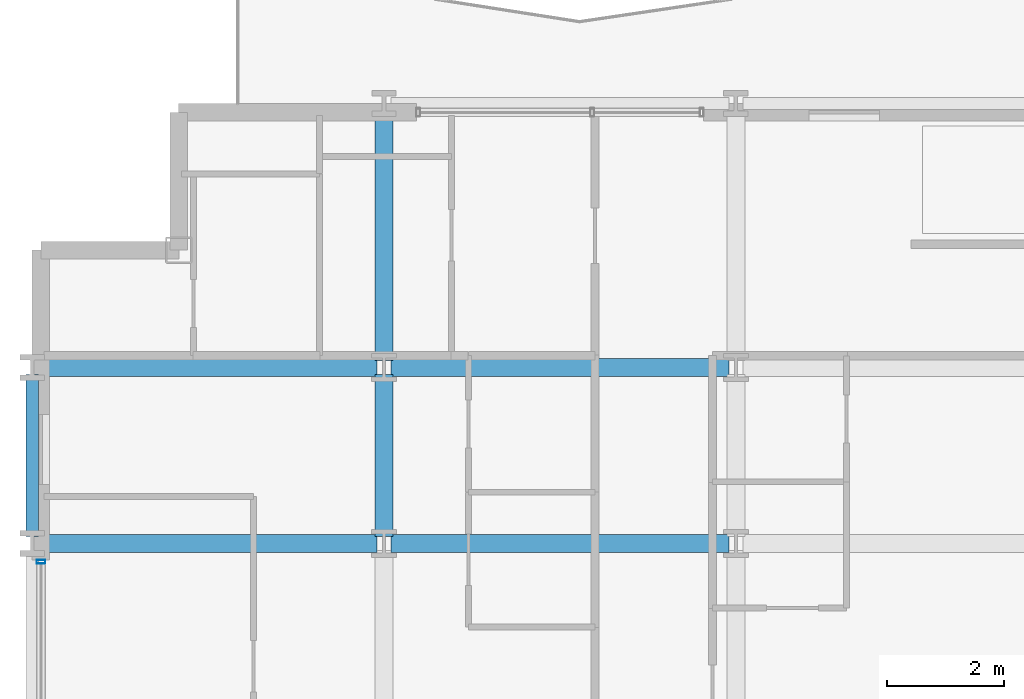
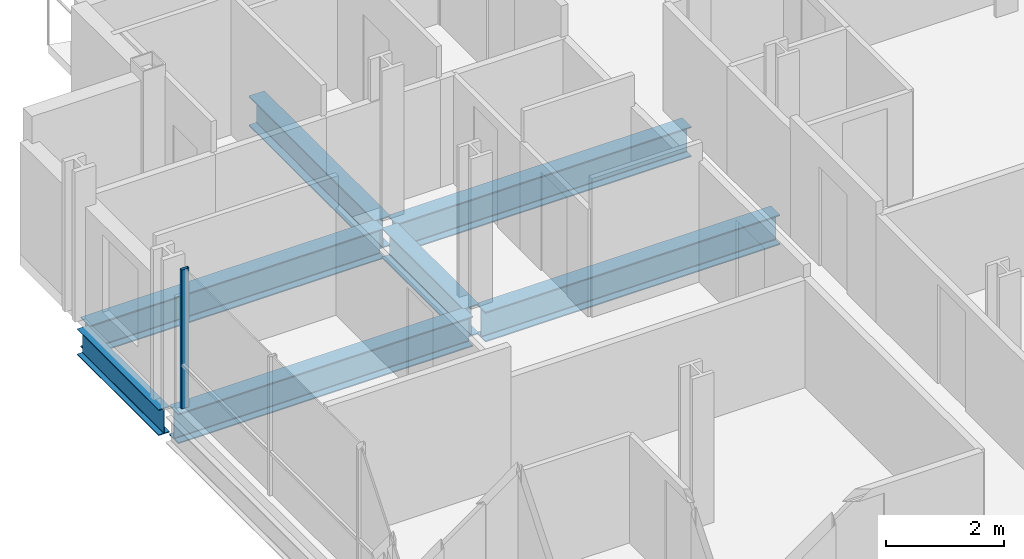
# One storey, part 7 of 41: 7 beams, 1 member, 1 element without a shape of its own.
"""IFC4 building model written with IfcOpenShell, lengths in metres."""

from ifc_helpers import new_model, si_unit, direction, frame, origin, origin_2d, place, context, subcontext, project, spatial, hollow_rectangle, i_section, extrude, material, layer, layer_set, material_profile, profile_set, type_object, element, aggregate, save


model = new_model("IFC4")

# Units and contexts
model_context = context("Model", 3, precision=1e-05, world=origin(), true_north=direction((0.0, 1.0)))
body_context = subcontext(model_context, "Body", "Model", "MODEL_VIEW")
ifc_project = project(units=[si_unit("LENGTHUNIT", "METRE"), si_unit("AREAUNIT", "SQUARE_METRE"), si_unit("VOLUMEUNIT", "CUBIC_METRE"), si_unit("PLANEANGLEUNIT", "RADIAN"), si_unit("MASSUNIT", "GRAM", prefix="KILO")], contexts=[model_context])

# Site, building, storey
site_placement = place(None, origin())
site = spatial("IfcSite", under=ifc_project, at=site_placement, CompositionType="ELEMENT")
building_placement = place(site_placement, origin())
building = spatial("IfcBuilding", under=site, at=building_placement, Name="Brevholm Reach", CompositionType="ELEMENT")
storey_placement = place(building_placement, frame((0.0, 0.0, 55.89990234375)))
storey = spatial("IfcBuildingStorey", under=building, at=storey_placement, Name="L15", CompositionType="ELEMENT", Elevation=55.89990234375)

# Beams
ifc_material_1 = material(Name="Structural Steel S355J2", Category="steel")
ifc_material_profile_1 = material_profile(ifc_material_1, i_section(OverallWidth=0.210693359375, OverallDepth=0.53955078125, WebThickness=0.01171875, FlangeThickness=0.018798828125, FilletRadius=0.0126953125, at=origin_2d()), Name="UKB 533x210x109")
ifc_profile_set_1 = profile_set([ifc_material_profile_1], Name="Structural Steel S355J2")
beam_type_1 = type_object("IfcBeamType", Name="BM-SP539", PredefinedType="SPANDREL", material=ifc_profile_set_1)
beam_1_placement = place(storey_placement, frame((0.0, 23.6201171875, -0.499755859375), z_axis=(0.0, 1.0, 0.0), x_axis=(-1.0, 0.0, 0.0)))
element("IfcBeam", 1, at=beam_1_placement, inside=storey, type_object=beam_type_1, Name="L15 SP-01B Framing Beam", PredefinedType="SPANDREL", context=body_context, shape_type="SweptSolid", body=[
    extrude(i_section(OverallWidth=0.210693359375, OverallDepth=0.53955078125, WebThickness=0.01171875, FlangeThickness=0.018798828125, FilletRadius=0.0126953125, at=origin_2d()), origin(), (0.0, 0.0, 1.0), 2.759765625),
])
ifc_material_2 = material(Name="Structural Steel S355J2", Category="steel")
ifc_material_profile_2 = material_profile(ifc_material_2, i_section(OverallWidth=0.30712890625, OverallDepth=0.6201171875, WebThickness=0.01416015625, FlangeThickness=0.023681640625, FilletRadius=0.0166015625, at=origin_2d()), Name="UKB 610x305x179")
ifc_profile_set_2 = profile_set([ifc_material_profile_2], Name="Structural Steel S355J2")
beam_type_2 = type_object("IfcBeamType", Name="BM-UKB610H", PredefinedType="USERDEFINED", material=ifc_profile_set_2)
for number, where, z_axis, x_axis, name in (
    (2, (0.1201171875, 23.5, -0.5400390625), (1.0, 0.0, 0.0), (0.0, 1.0, 0.0), "L15 G-06 Framing Beam"),
    (3, (6.1201171875, 23.5, -0.5400390625), (1.0, 0.0, 0.0), (0.0, 1.0, 0.0), "L15 G-06 Framing Beam"),
    (4, (0.1201171875, 26.5, -0.5400390625), (1.0, 0.0, 0.0), (0.0, 1.0, 0.0), "L15 G-06 Framing Beam"),
    (5, (6.1201171875, 26.5, -0.5400390625), (1.0, 0.0, 0.0), (0.0, 1.0, 0.0), "L15 G-06 Framing Beam"),
):
    element("IfcBeam", number, at=place(storey_placement, frame(where, z_axis=z_axis, x_axis=x_axis)), inside=storey, type_object=beam_type_2, Name=name, ObjectType="GIRDER", PredefinedType="USERDEFINED", context=body_context, shape_type="SweptSolid", body=[
        extrude(i_section(OverallWidth=0.30712890625, OverallDepth=0.6201171875, WebThickness=0.01416015625, FlangeThickness=0.023681640625, FilletRadius=0.0166015625, at=origin_2d()), origin(), (0.0, 0.0, 1.0), 5.759765625),
    ])
beam_2_placement = place(storey_placement, frame((6.0, 23.6201171875, -0.5400390625), z_axis=(0.0, 1.0, 0.0), x_axis=(-1.0, 0.0, 0.0)))
element("IfcBeam", 6, at=beam_2_placement, inside=storey, type_object=beam_type_2, Name="L15 G-06 Framing Beam", ObjectType="GIRDER", PredefinedType="USERDEFINED", context=body_context, shape_type="SweptSolid", body=[
    extrude(i_section(OverallWidth=0.30712890625, OverallDepth=0.6201171875, WebThickness=0.01416015625, FlangeThickness=0.023681640625, FilletRadius=0.0166015625, at=origin_2d()), origin(), (0.0, 0.0, 1.0), 2.759765625),
])
beam_3_placement = place(storey_placement, frame((6.0, 26.6201171875, -0.5400390625), z_axis=(0.0, 1.0, 0.0), x_axis=(-1.0, 0.0, 0.0)))
element("IfcBeam", 7, at=beam_3_placement, inside=storey, type_object=beam_type_2, Name="L15 G-06 Framing Beam", ObjectType="GIRDER", PredefinedType="USERDEFINED", context=body_context, shape_type="SweptSolid", body=[
    extrude(i_section(OverallWidth=0.30712890625, OverallDepth=0.6201171875, WebThickness=0.01416015625, FlangeThickness=0.023681640625, FilletRadius=0.0166015625, at=origin_2d()), origin(), (0.0, 0.0, 1.0), 4.259765625),
])

# Curtain wall, member
ifc_material_3 = material(Name="Dark Anodised Aluminium 6063-T6 and Solar-Control Glass", Category="aluminium")
ifc_layer = layer(ifc_material_3, 0.14990234375)
ifc_layer_set = layer_set([ifc_layer], Name="Dark Anodised Aluminium 6063-T6 and Solar-Control Glass")
curtain_wall_type = type_object("IfcCurtainWallType", Name="CW-01", PredefinedType="NOTDEFINED", material=ifc_layer_set)
curtain_wall_placement = place(storey_placement, origin())
curtain_wall = element("IfcCurtainWall", 8, at=curtain_wall_placement, inside=storey, type_object=curtain_wall_type, Name="L15 Curtain Wall CW-01", PredefinedType="NOTDEFINED")
ifc_material_4 = material(Name="Dark Anodised Aluminium 6063-T6", Category="aluminium")
ifc_material_profile_3 = material_profile(ifc_material_4, hollow_rectangle(XDim=0.06494140625, YDim=0.14990234375, WallThickness=0.0048828125, InnerFilletRadius=0.0048828125, OuterFilletRadius=0.010009765625, at=origin_2d()), Name="RHS 150x65x5")
ifc_profile_set_3 = profile_set([ifc_material_profile_3], Name="Dark Anodised Aluminium 6063-T6")
member_type = type_object("IfcMemberType", Name="CWM-150", PredefinedType="MULLION", material=ifc_profile_set_3)
member_placement = place(storey_placement, frame((0.14990234375, 23.1875, 0.0), z_axis=(0.0, 0.0, 1.0), x_axis=(0.0, -1.0, 0.0)))
member = element("IfcMember", 9, at=member_placement, type_object=member_type, Name="CM-150 Mullion 1", PredefinedType="MULLION", context=body_context, shape_type="SweptSolid", body=[
    extrude(hollow_rectangle(XDim=0.06494140625, YDim=0.14990234375, WallThickness=0.0048828125, InnerFilletRadius=0.0048828125, OuterFilletRadius=0.010009765625, at=origin_2d()), origin(), (0.0, 0.0, 1.0), 2.8701171875),
])
aggregate(curtain_wall, [member])

save(model, "model.ifc")
